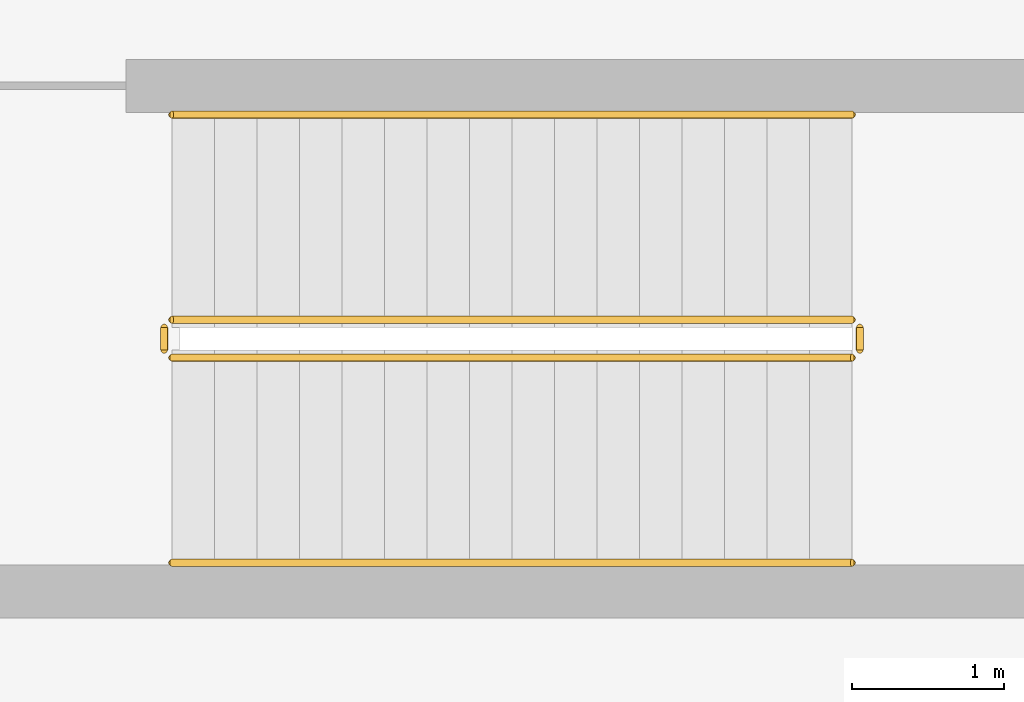
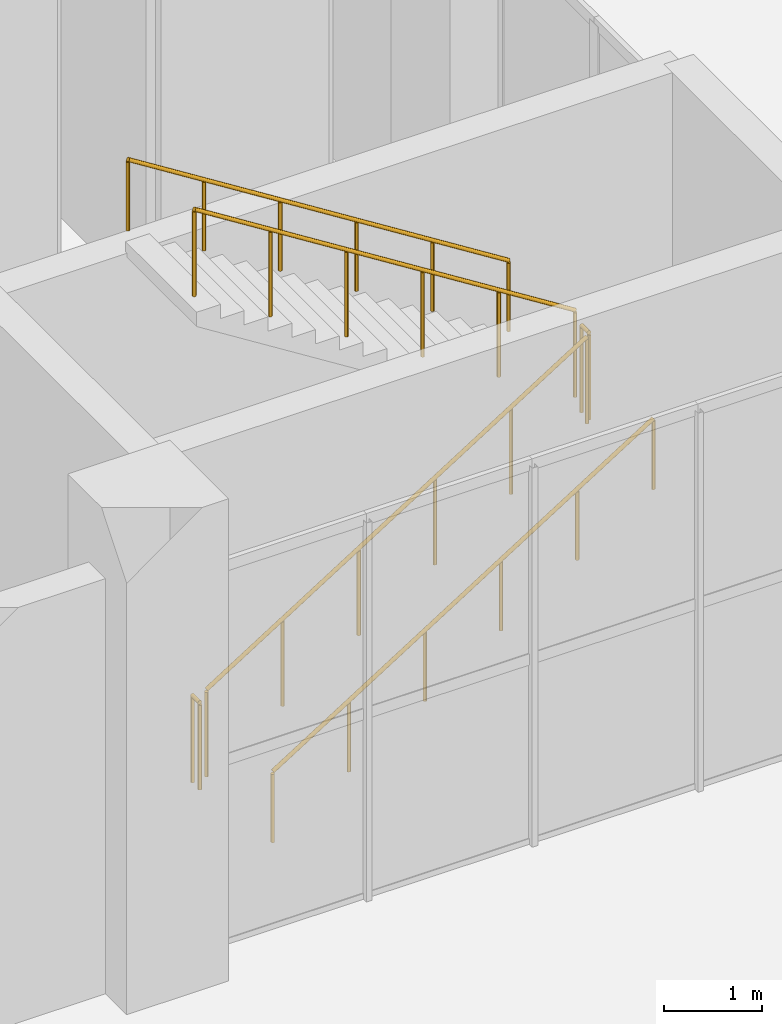
# One storey, part 138 of 144: 6 railings.
"""IFC4 building model written with IfcOpenShell, lengths in metres."""

from ifc_helpers import new_model, si_unit, direction, frame, origin, origin_2d, place, context, subcontext, project, spatial, circle, extrude, material, type_object, element, save


model = new_model("IFC4")

# Units and contexts
model_context = context("Model", 3, precision=1e-05, world=origin(), true_north=direction((0.0, 1.0)))
body_context = subcontext(model_context, "Body", "Model", "MODEL_VIEW")
ifc_project = project(units=[si_unit("LENGTHUNIT", "METRE"), si_unit("AREAUNIT", "SQUARE_METRE"), si_unit("VOLUMEUNIT", "CUBIC_METRE"), si_unit("PLANEANGLEUNIT", "RADIAN"), si_unit("MASSUNIT", "GRAM", prefix="KILO")], contexts=[model_context])

# Site, building, storey
site_placement = place(None, origin())
site = spatial("IfcSite", under=ifc_project, at=site_placement, CompositionType="ELEMENT")
building_placement = place(site_placement, origin())
building = spatial("IfcBuilding", under=site, at=building_placement, Name="Sundgate Opera House", CompositionType="ELEMENT")
storey_placement = place(building_placement, origin())
storey = spatial("IfcBuildingStorey", under=building, at=storey_placement, Name="L00", CompositionType="ELEMENT", Elevation=0.0)

# Railings
ifc_material_1 = material(Name="Painted steel S275 guardrail", Category="steel")
railing_type_1 = type_object("IfcRailingType", Name="RL-STAIR-GUARD-1100", PredefinedType="GUARDRAIL", material=ifc_material_1)
railing_1_placement = place(storey_placement, frame((65.10009765625, 44.449951171875, 0.176513671875)))
element("IfcRailing", 1, at=railing_1_placement, inside=storey, type_object=railing_type_1, Name="ST03L00 Guardrail RL0096", PredefinedType="GUARDRAIL", context=body_context, shape_type="SweptSolid", body=[
    extrude(circle(Radius=0.02392578125, at=origin_2d()), frame((0.0, 0.0, 1.076171875), z_axis=(0.845997938375, 0.0, 0.533186166611), x_axis=(0.0, 1.0, 0.0)), (0.0, 0.0, 1.0), 5.29541015625),
    extrude(circle(Radius=0.02099609375, at=origin_2d()), origin(), (0.0, 0.0, 1.0), 1.052001953125),
    extrude(circle(Radius=0.02099609375, at=origin_2d()), frame((0.89599609375, 0.0, 0.564697265625)), (0.0, 0.0, 1.0), 1.052001953125),
    extrude(circle(Radius=0.02099609375, at=origin_2d()), frame((1.7919921875, 0.0, 1.12939453125)), (0.0, 0.0, 1.0), 1.052001953125),
    extrude(circle(Radius=0.02099609375, at=origin_2d()), frame((2.68798828125, 0.0, 1.694091796875)), (0.0, 0.0, 1.0), 1.052001953125),
    extrude(circle(Radius=0.02099609375, at=origin_2d()), frame((3.583984375, 0.0, 2.2587890625)), (0.0, 0.0, 1.0), 1.052001953125),
    extrude(circle(Radius=0.02099609375, at=origin_2d()), frame((4.47998046875, 0.0, 2.823486328125)), (0.0, 0.0, 1.0), 1.052001953125),
])
railing_2_placement = place(storey_placement, frame((69.6298828125, 44.5, 3.0)))
element("IfcRailing", 2, at=railing_2_placement, inside=storey, type_object=railing_type_1, Name="ST03L00 Guardrail RL0097", PredefinedType="GUARDRAIL", context=body_context, shape_type="SweptSolid", body=[
    extrude(circle(Radius=0.02392578125, at=origin_2d()), frame((0.0, 0.0, 1.076171875), z_axis=(0.0, 1.0, 0.0), x_axis=(-1.0, 0.0, 0.0)), (0.0, 0.0, 1.0), 0.14990234375),
    extrude(circle(Radius=0.02099609375, at=origin_2d()), origin(), (0.0, 0.0, 1.0), 1.052001953125),
    extrude(circle(Radius=0.02099609375, at=origin_2d()), frame((0.0, 0.14990234375, 0.0)), (0.0, 0.0, 1.0), 1.052001953125),
])
railing_3_placement = place(storey_placement, frame((69.580078125, 44.699951171875, 3.176513671875)))
element("IfcRailing", 3, at=railing_3_placement, inside=storey, type_object=railing_type_1, Name="ST03L00 Guardrail RL0098", PredefinedType="GUARDRAIL", context=body_context, shape_type="SweptSolid", body=[
    extrude(circle(Radius=0.02392578125, at=origin_2d()), frame((0.0, 0.0, 1.076171875), z_axis=(-0.845997938375, 0.0, 0.533186166611), x_axis=(0.0, -1.0, 0.0)), (0.0, 0.0, 1.0), 5.29541015625),
    extrude(circle(Radius=0.02099609375, at=origin_2d()), origin(), (0.0, 0.0, 1.0), 1.052001953125),
    extrude(circle(Radius=0.02099609375, at=origin_2d()), frame((-0.89599609375, 0.0, 0.564697265625)), (0.0, 0.0, 1.0), 1.052001953125),
    extrude(circle(Radius=0.02099609375, at=origin_2d()), frame((-1.7919921875, 0.0, 1.12939453125)), (0.0, 0.0, 1.0), 1.052001953125),
    extrude(circle(Radius=0.02099609375, at=origin_2d()), frame((-2.68798828125, 0.0, 1.694091796875)), (0.0, 0.0, 1.0), 1.052001953125),
    extrude(circle(Radius=0.02099609375, at=origin_2d()), frame((-3.583984375, 0.0, 2.2587890625)), (0.0, 0.0, 1.0), 1.052001953125),
    extrude(circle(Radius=0.02099609375, at=origin_2d()), frame((-4.47998046875, 0.0, 2.823486328125)), (0.0, 0.0, 1.0), 1.052001953125),
])
railing_4_placement = place(storey_placement, frame((65.050048828125, 44.5, 0.0)))
element("IfcRailing", 4, at=railing_4_placement, inside=storey, type_object=railing_type_1, Name="ST03L00 Guardrail RL0099", PredefinedType="GUARDRAIL", context=body_context, shape_type="SweptSolid", body=[
    extrude(circle(Radius=0.02392578125, at=origin_2d()), frame((0.0, 0.0, 1.076171875), z_axis=(0.0, 1.0, 0.0), x_axis=(-1.0, 0.0, 0.0)), (0.0, 0.0, 1.0), 0.14990234375),
    extrude(circle(Radius=0.02099609375, at=origin_2d()), origin(), (0.0, 0.0, 1.0), 1.052001953125),
    extrude(circle(Radius=0.02099609375, at=origin_2d()), frame((0.0, 0.14990234375, 0.0)), (0.0, 0.0, 1.0), 1.052001953125),
])
ifc_material_2 = material(Name="Brushed stainless steel handrail", Category="steel")
railing_type_2 = type_object("IfcRailingType", Name="RL-STAIR-HAND-900", PredefinedType="HANDRAIL", material=ifc_material_2)
railing_5_placement = place(storey_placement, frame((65.10009765625, 43.10009765625, 0.176513671875)))
element("IfcRailing", 5, at=railing_5_placement, inside=storey, type_object=railing_type_2, Name="ST03L00 Handrail RL0100", PredefinedType="HANDRAIL", context=body_context, shape_type="SweptSolid", body=[
    extrude(circle(Radius=0.02392578125, at=origin_2d()), frame((0.0, 0.0, 0.8759765625), z_axis=(0.845997938375, 0.0, 0.533186166611), x_axis=(0.0, 1.0, 0.0)), (0.0, 0.0, 1.0), 5.29541015625),
    extrude(circle(Radius=0.02099609375, at=origin_2d()), origin(), (0.0, 0.0, 1.0), 0.851806640625),
    extrude(circle(Radius=0.02099609375, at=origin_2d()), frame((0.89599609375, 0.0, 0.564697265625)), (0.0, 0.0, 1.0), 0.851806640625),
    extrude(circle(Radius=0.02099609375, at=origin_2d()), frame((1.7919921875, 0.0, 1.12939453125)), (0.0, 0.0, 1.0), 0.851806640625),
    extrude(circle(Radius=0.02099609375, at=origin_2d()), frame((2.68798828125, 0.0, 1.694091796875)), (0.0, 0.0, 1.0), 0.851806640625),
    extrude(circle(Radius=0.02099609375, at=origin_2d()), frame((3.583984375, 0.0, 2.2587890625)), (0.0, 0.0, 1.0), 0.851806640625),
    extrude(circle(Radius=0.02099609375, at=origin_2d()), frame((4.47998046875, 0.0, 2.823486328125)), (0.0, 0.0, 1.0), 0.851806640625),
])
railing_6_placement = place(storey_placement, frame((69.580078125, 46.050048828125, 3.176513671875)))
element("IfcRailing", 6, at=railing_6_placement, inside=storey, type_object=railing_type_2, Name="ST03L00 Handrail RL0101", PredefinedType="HANDRAIL", context=body_context, shape_type="SweptSolid", body=[
    extrude(circle(Radius=0.02392578125, at=origin_2d()), frame((0.0, 0.0, 0.8759765625), z_axis=(-0.845997938375, 0.0, 0.533186166611), x_axis=(0.0, -1.0, 0.0)), (0.0, 0.0, 1.0), 5.29541015625),
    extrude(circle(Radius=0.02099609375, at=origin_2d()), origin(), (0.0, 0.0, 1.0), 0.851806640625),
    extrude(circle(Radius=0.02099609375, at=origin_2d()), frame((-0.89599609375, 0.0, 0.564697265625)), (0.0, 0.0, 1.0), 0.851806640625),
    extrude(circle(Radius=0.02099609375, at=origin_2d()), frame((-1.7919921875, 0.0, 1.12939453125)), (0.0, 0.0, 1.0), 0.851806640625),
    extrude(circle(Radius=0.02099609375, at=origin_2d()), frame((-2.68798828125, 0.0, 1.694091796875)), (0.0, 0.0, 1.0), 0.851806640625),
    extrude(circle(Radius=0.02099609375, at=origin_2d()), frame((-3.583984375, 0.0, 2.2587890625)), (0.0, 0.0, 1.0), 0.851806640625),
    extrude(circle(Radius=0.02099609375, at=origin_2d()), frame((-4.47998046875, 0.0, 2.823486328125)), (0.0, 0.0, 1.0), 0.851806640625),
])

save(model, "model.ifc")
